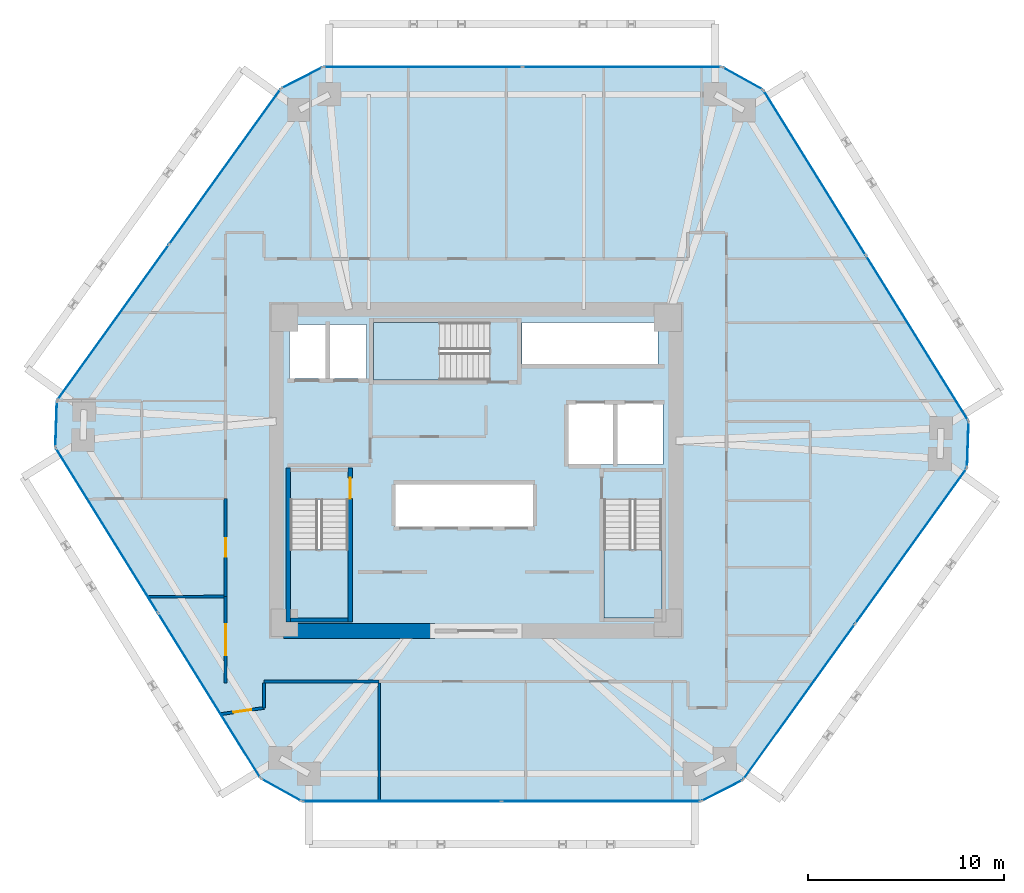
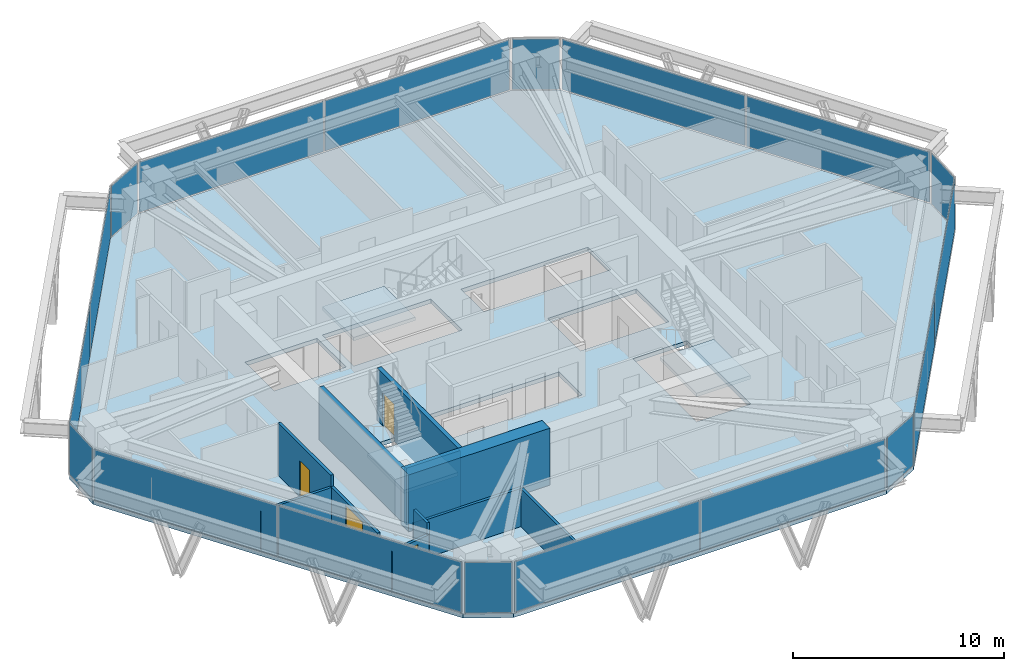
# One storey, part 9 of 14: 18 plates, 11 walls, 4 doors, 4 slabs, 4 openings, 15 elements without a shape of their own.
"""IFC4 building model written with IfcOpenShell, lengths in metres."""

from ifc_helpers import new_model, si_unit, direction, frame, frame_2d, origin, origin_2d, place, context, subcontext, project, spatial, polyline, rectangle, outline, extrude, source, transform, mapped, material, layer, layer_set, type_object, type_shapes, element, fill, aggregate, save


model = new_model("IFC4")

# Units and contexts
model_context = context("Model", 3, precision=1e-05, world=origin(), true_north=direction((0.0, 1.0)))
body_context = subcontext(model_context, "Body", "Model", "MODEL_VIEW")
ifc_project = project(units=[si_unit("LENGTHUNIT", "METRE"), si_unit("AREAUNIT", "SQUARE_METRE"), si_unit("VOLUMEUNIT", "CUBIC_METRE"), si_unit("PLANEANGLEUNIT", "RADIAN"), si_unit("MASSUNIT", "GRAM", prefix="KILO")], contexts=[model_context])

# Site, building, storey
site_placement = place(None, origin())
site = spatial("IfcSite", under=ifc_project, at=site_placement, CompositionType="ELEMENT")
building_placement = place(site_placement, origin())
building = spatial("IfcBuilding", under=site, at=building_placement, Name="Durnholm Broadcast Tower", CompositionType="ELEMENT")
storey_placement = place(building_placement, frame((0.0, 0.0, 127.199951171875)))
storey = spatial("IfcBuildingStorey", under=building, at=storey_placement, Name="L34", CompositionType="ELEMENT", Elevation=127.199951171875)

# Slab
ifc_material_1 = material(Name="Concrete C50/60", Category="concrete")
ifc_layer_1 = layer(ifc_material_1, 0.239990234375)
ifc_layer_set_1 = layer_set([ifc_layer_1], Name="Concrete C50/60")
slab_type_1 = type_object("IfcSlabType", Name="SLAB-FLR-240", PredefinedType="FLOOR", material=ifc_layer_set_1)
slab_1_placement = place(storey_placement, frame((0.0, 0.0, -0.239990234375)))
element("IfcSlab", 1, at=slab_1_placement, inside=storey, type_object=slab_type_1, Name="L34 structural floor slab", PredefinedType="FLOOR", context=body_context, shape_type="SweptSolid", body=[
    extrude(outline(polyline([(-11.012451171875, -15.77001953125), (-8.915283203125, -16.93701171875), (11.51416015625, -16.93701171875), (13.649658203125, -15.841796875), (25.11279296875, 0.114990234375), (25.1943359375, 2.513671875), (14.6904296875, 19.447998046875), (12.59326171875, 20.614990234375), (-7.836181640625, 20.614990234375), (-9.9716796875, 19.519775390625), (-21.434814453125, 3.56298828125), (-21.516357421875, 1.164306640625), (-11.012451171875, -15.77001953125)]), holes=[polyline([(-6.5400390625, -1.5), (-9.5, -1.5), (-9.5, -7.550048828125), (-6.5400390625, -7.550048828125), (-6.5400390625, -1.5)]), polyline([(9.5, -7.550048828125), (9.5, -1.5), (6.5400390625, -1.5), (6.5400390625, -7.550048828125), (9.5, -7.550048828125)]), polyline([(2.949951171875, -0.699951171875), (-4.14990234375, -0.699951171875), (-4.14990234375, -2.89990234375), (2.949951171875, -2.89990234375), (2.949951171875, -0.699951171875)]), polyline([(9.550048828125, 3.39990234375), (4.699951171875, 3.39990234375), (4.699951171875, 0.300048828125), (9.550048828125, 0.300048828125), (9.550048828125, 3.39990234375)]), polyline([(-5.60009765625, 7.449951171875), (-9.550048828125, 7.449951171875), (-9.550048828125, 4.699951171875), (-5.60009765625, 4.699951171875), (-5.60009765625, 7.449951171875)]), polyline([(-5.25, 4.60009765625), (0.699951171875, 4.60009765625), (0.699951171875, 7.56005859375), (-5.25, 7.56005859375), (-5.25, 4.60009765625)]), polyline([(9.31005859375, 7.550048828125), (2.35009765625, 7.550048828125), (2.35009765625, 5.39990234375), (9.31005859375, 5.39990234375), (9.31005859375, 7.550048828125)])]), origin(), (0.0, 0.0, 1.0), 0.239990234375),
])

# Stair, slab
stair_type = type_object("IfcStairType", Name="STAIR-DL-20R1650", PredefinedType="HALF_TURN_STAIR", material=ifc_material_1)
stair_1_placement = place(storey_placement, origin())
stair_1 = element("IfcStair", 2, at=stair_1_placement, inside=storey, type_object=stair_type, Name="L34 ST-1", PredefinedType="HALF_TURN_STAIR")
ifc_layer_2 = layer(ifc_material_1, 0.199951171875)
ifc_layer_set_2 = layer_set([ifc_layer_2], Name="Concrete C50/60")
slab_type_2 = type_object("IfcSlabType", Name="SLAB-LND-200", PredefinedType="LANDING", material=ifc_layer_set_2)
slab_2_placement = place(storey_placement, frame((0.0, 0.0, 1.449951171875)))
slab_2 = element("IfcSlab", 3, at=slab_2_placement, type_object=slab_type_2, Name="ST-1 landing 1", PredefinedType="LANDING", context=body_context, shape_type="SweptSolid", body=[
    extrude(outline(polyline([(-9.5, -4.06494140625), (-9.5, -7.550048828125), (-6.5400390625, -7.550048828125), (-6.5400390625, -4.06494140625), (-9.5, -4.06494140625)])), origin(), (0.0, 0.0, 1.0), 0.2001953125),
])
aggregate(stair_1, [slab_2])

stair_2_placement = place(storey_placement, origin())
stair_2 = element("IfcStair", 4, at=stair_2_placement, inside=storey, type_object=stair_type, Name="L34 ST-2", PredefinedType="HALF_TURN_STAIR")
slab_3_placement = place(storey_placement, frame((0.0, 0.0, 1.449951171875)))
slab_3 = element("IfcSlab", 5, at=slab_3_placement, type_object=slab_type_2, Name="ST-2 landing 1", PredefinedType="LANDING", context=body_context, shape_type="SweptSolid", body=[
    extrude(outline(polyline([(6.5400390625, -4.06494140625), (6.5400390625, -7.550048828125), (9.5, -7.550048828125), (9.5, -4.06494140625), (6.5400390625, -4.06494140625)])), origin(), (0.0, 0.0, 1.0), 0.2001953125),
])
aggregate(stair_2, [slab_3])

stair_3_placement = place(storey_placement, origin())
stair_3 = element("IfcStair", 6, at=stair_3_placement, inside=storey, type_object=stair_type, Name="L34 ST-3", PredefinedType="HALF_TURN_STAIR")
slab_4_placement = place(storey_placement, frame((0.0, 0.0, 1.449951171875)))
slab_4 = element("IfcSlab", 7, at=slab_4_placement, type_object=slab_type_2, Name="ST-3 landing 1", PredefinedType="LANDING", context=body_context, shape_type="SweptSolid", body=[
    extrude(outline(polyline([(-1.864990234375, 7.56005859375), (-5.25, 7.56005859375), (-5.25, 4.60009765625), (-1.864990234375, 4.60009765625), (-1.864990234375, 7.56005859375)])), origin(), (0.0, 0.0, 1.0), 0.2001953125),
])
aggregate(stair_3, [slab_4])

# Curtain wall, plate
ifc_material_2 = material(Name="Aluminium and Solar Control IGU", Category="aluminium")
ifc_layer_3 = layer(ifc_material_2, 0.1650390625)
ifc_layer_set_3 = layer_set([ifc_layer_3], Name="Aluminium and Solar Control IGU")
curtain_wall_type_1 = type_object("IfcCurtainWallType", Name="CW-SYS-5", PredefinedType="NOTDEFINED", material=ifc_layer_set_3)
curtain_wall_1_placement = place(storey_placement, origin())
curtain_wall_1 = element("IfcCurtainWall", 8, at=curtain_wall_1_placement, inside=storey, type_object=curtain_wall_type_1, Name="L34 curtain wall CW-CORNER CW-L34-CRN-01", PredefinedType="NOTDEFINED")
ifc_material_3 = material(Name="Low-E Laminated Insulating Glass", Category="glass")
ifc_layer_4 = layer(ifc_material_3, 0.030029296875)
ifc_layer_set_4 = layer_set([ifc_layer_4], Name="Low-E Laminated Insulating Glass")
plate_type_1 = type_object("IfcPlateType", Name="CW-SYS-5-PNL", PredefinedType="CURTAIN_PANEL", material=ifc_layer_set_4)
shared_shape_1 = source(origin(), body_context, "Body", "SweptSolid", [
    extrude(rectangle(XDim=2.27001953125, YDim=0.030029296875, at=origin_2d()), origin(), (0.0, 0.0, 1.0), 2.929931640625),
])
type_shapes(plate_type_1, [shared_shape_1])
plate_1_placement = place(storey_placement, frame((-21.4755859375, 2.36376953125, 0.06494140625), z_axis=(0.0, 0.0, 1.0), x_axis=(0.033916937775, 0.999424655155, 0.0)))
plate_1 = element("IfcPlate", 9, at=plate_1_placement, type_object=plate_type_1, Name="CW-CORNER panel 1.1", PredefinedType="CURTAIN_PANEL", context=body_context, shape_type="MappedRepresentation", body=[
    mapped(shared_shape_1, transform((0.0, 0.0, 0.0), x_axis=(1.0, 0.0, 0.0), y_axis=(0.0, 1.0, 0.0), z_axis=(0.0, 0.0, 1.0), scale=1.0)),
])
aggregate(curtain_wall_1, [plate_1])

curtain_wall_2_placement = place(storey_placement, origin())
curtain_wall_2 = element("IfcCurtainWall", 10, at=curtain_wall_2_placement, inside=storey, type_object=curtain_wall_type_1, Name="L34 curtain wall CW-CORNER CW-L34-CRN-03", PredefinedType="NOTDEFINED")
plate_2_placement = place(storey_placement, frame((-8.904052734375, 20.0673828125, 0.06494140625), z_axis=(0.0, 0.0, 1.0), x_axis=(0.889788396392, 0.45637332267, 0.0)))
plate_2 = element("IfcPlate", 11, at=plate_2_placement, type_object=plate_type_1, Name="CW-CORNER panel 1.1", PredefinedType="CURTAIN_PANEL", context=body_context, shape_type="MappedRepresentation", body=[
    mapped(shared_shape_1, transform((0.0, 0.0, 0.0), x_axis=(1.0, 0.0, 0.0), y_axis=(0.0, 1.0, 0.0), z_axis=(0.0, 0.0, 1.0), scale=1.0)),
])
aggregate(curtain_wall_2, [plate_2])

curtain_wall_3_placement = place(storey_placement, origin())
curtain_wall_3 = element("IfcCurtainWall", 12, at=curtain_wall_3_placement, inside=storey, type_object=curtain_wall_type_1, Name="L34 curtain wall CW-CORNER CW-L34-CRN-05", PredefinedType="NOTDEFINED")
plate_3_placement = place(storey_placement, frame((13.641845703125, 20.031494140625, 0.06494140625), z_axis=(0.0, 0.0, 1.0), x_axis=(0.873822953715, -0.486244224192, 0.0)))
plate_3 = element("IfcPlate", 13, at=plate_3_placement, type_object=plate_type_1, Name="CW-CORNER panel 1.1", PredefinedType="CURTAIN_PANEL", context=body_context, shape_type="MappedRepresentation", body=[
    mapped(shared_shape_1, transform((0.0, 0.0, 0.0), x_axis=(1.0, 0.0, 0.0), y_axis=(0.0, 1.0, 0.0), z_axis=(0.0, 0.0, 1.0), scale=1.0)),
])
aggregate(curtain_wall_3, [plate_3])

curtain_wall_4_placement = place(storey_placement, origin())
curtain_wall_4 = element("IfcCurtainWall", 14, at=curtain_wall_4_placement, inside=storey, type_object=curtain_wall_type_1, Name="L34 curtain wall CW-CORNER CW-L34-CRN-07", PredefinedType="NOTDEFINED")
plate_4_placement = place(storey_placement, frame((25.153564453125, 1.314208984375, 0.06494140625), z_axis=(0.0, 0.0, 1.0), x_axis=(-0.033916937775, -0.999424655155, 0.0)))
plate_4 = element("IfcPlate", 15, at=plate_4_placement, type_object=plate_type_1, Name="CW-CORNER panel 1.1", PredefinedType="CURTAIN_PANEL", context=body_context, shape_type="MappedRepresentation", body=[
    mapped(shared_shape_1, transform((0.0, 0.0, 0.0), x_axis=(1.0, 0.0, 0.0), y_axis=(0.0, 1.0, 0.0), z_axis=(0.0, 0.0, 1.0), scale=1.0)),
])
aggregate(curtain_wall_4, [plate_4])

curtain_wall_5_placement = place(storey_placement, origin())
curtain_wall_5 = element("IfcCurtainWall", 16, at=curtain_wall_5_placement, inside=storey, type_object=curtain_wall_type_1, Name="L34 curtain wall CW-CORNER CW-L34-CRN-09", PredefinedType="NOTDEFINED")
plate_5_placement = place(storey_placement, frame((12.58203125, -16.389404296875, 0.06494140625), z_axis=(0.0, 0.0, 1.0), x_axis=(-0.889788396392, -0.45637332267, 0.0)))
plate_5 = element("IfcPlate", 17, at=plate_5_placement, type_object=plate_type_1, Name="CW-CORNER panel 1.1", PredefinedType="CURTAIN_PANEL", context=body_context, shape_type="MappedRepresentation", body=[
    mapped(shared_shape_1, transform((0.0, 0.0, 0.0), x_axis=(1.0, 0.0, 0.0), y_axis=(0.0, 1.0, 0.0), z_axis=(0.0, 0.0, 1.0), scale=1.0)),
])
aggregate(curtain_wall_5, [plate_5])

curtain_wall_6_placement = place(storey_placement, origin())
curtain_wall_6 = element("IfcCurtainWall", 18, at=curtain_wall_6_placement, inside=storey, type_object=curtain_wall_type_1, Name="L34 curtain wall CW-CORNER CW-L34-CRN-11", PredefinedType="NOTDEFINED")
plate_6_placement = place(storey_placement, frame((-9.9638671875, -16.353515625, 0.06494140625), z_axis=(0.0, 0.0, 1.0), x_axis=(-0.873822953715, 0.486244224192, 0.0)))
plate_6 = element("IfcPlate", 19, at=plate_6_placement, type_object=plate_type_1, Name="CW-CORNER panel 1.1", PredefinedType="CURTAIN_PANEL", context=body_context, shape_type="MappedRepresentation", body=[
    mapped(shared_shape_1, transform((0.0, 0.0, 0.0), x_axis=(1.0, 0.0, 0.0), y_axis=(0.0, 1.0, 0.0), z_axis=(0.0, 0.0, 1.0), scale=1.0)),
])
aggregate(curtain_wall_6, [plate_6])

# Curtain wall, plates
ifc_layer_5 = layer(ifc_material_2, 0.18994140625)
ifc_layer_set_5 = layer_set([ifc_layer_5], Name="Aluminium and Solar Control IGU")
curtain_wall_type_2 = type_object("IfcCurtainWallType", Name="CW-SYS-3", PredefinedType="NOTDEFINED", material=ifc_layer_set_5)
curtain_wall_7_placement = place(storey_placement, origin())
curtain_wall_7 = element("IfcCurtainWall", 20, at=curtain_wall_7_placement, inside=storey, type_object=curtain_wall_type_2, Name="L34 curtain wall CW-Z12-VIS CW-L34-F02", PredefinedType="NOTDEFINED")
ifc_layer_6 = layer(ifc_material_3, 0.031982421875)
ifc_layer_set_6 = layer_set([ifc_layer_6], Name="Low-E Laminated Insulating Glass")
plate_type_2 = type_object("IfcPlateType", Name="CW-SYS-3-PNL", PredefinedType="CURTAIN_PANEL", material=ifc_layer_set_6)
shared_shape_2 = source(origin(), body_context, "Body", "SweptSolid", [
    extrude(rectangle(XDim=9.71875, YDim=0.031982421875, at=origin_2d()), origin(), (0.0, 0.0, 1.0), 2.919921875),
])
plate_7_placement = place(storey_placement, frame((-18.558837890625, 7.56640625, 0.070068359375), z_axis=(0.0, 0.0, 1.0), x_axis=(0.583445473786, 0.812152312759, 0.0)))
plate_7 = element("IfcPlate", 21, at=plate_7_placement, type_object=plate_type_2, Name="CW-Z12-VIS panel 1.1", PredefinedType="CURTAIN_PANEL", context=body_context, shape_type="MappedRepresentation", body=[
    mapped(shared_shape_2, transform((0.0, 0.0, 0.0), x_axis=(1.0, 0.0, 0.0), y_axis=(0.0, 1.0, 0.0), z_axis=(0.0, 0.0, 1.0), scale=1.0)),
])
plate_8_placement = place(storey_placement, frame((-12.84765625, 15.516357421875, 0.070068359375), z_axis=(0.0, 0.0, 1.0), x_axis=(0.583445473786, 0.812152312759, 0.0)))
plate_8 = element("IfcPlate", 22, at=plate_8_placement, type_object=plate_type_2, Name="CW-Z12-VIS panel 2.1", PredefinedType="CURTAIN_PANEL", context=body_context, shape_type="MappedRepresentation", body=[
    mapped(shared_shape_2, transform((0.0, 0.0, 0.0), x_axis=(1.0, 0.0, 0.0), y_axis=(0.0, 1.0, 0.0), z_axis=(0.0, 0.0, 1.0), scale=1.0)),
])
aggregate(curtain_wall_7, [plate_7, plate_8])

curtain_wall_8_placement = place(storey_placement, origin())
curtain_wall_8 = element("IfcCurtainWall", 23, at=curtain_wall_8_placement, inside=storey, type_object=curtain_wall_type_2, Name="L34 curtain wall CW-Z12-VIS CW-L34-F08", PredefinedType="NOTDEFINED")
plate_9_placement = place(storey_placement, frame((22.23681640625, -3.888427734375, 0.070068359375), z_axis=(0.0, 0.0, 1.0), x_axis=(-0.583445473786, -0.812152312759, 0.0)))
plate_9 = element("IfcPlate", 24, at=plate_9_placement, type_object=plate_type_2, Name="CW-Z12-VIS panel 1.1", PredefinedType="CURTAIN_PANEL", context=body_context, shape_type="MappedRepresentation", body=[
    mapped(shared_shape_2, transform((0.0, 0.0, 0.0), x_axis=(1.0, 0.0, 0.0), y_axis=(0.0, 1.0, 0.0), z_axis=(0.0, 0.0, 1.0), scale=1.0)),
])
plate_10_placement = place(storey_placement, frame((16.525634765625, -11.83837890625, 0.070068359375), z_axis=(0.0, 0.0, 1.0), x_axis=(-0.583445473786, -0.812152312759, 0.0)))
plate_10 = element("IfcPlate", 25, at=plate_10_placement, type_object=plate_type_2, Name="CW-Z12-VIS panel 2.1", PredefinedType="CURTAIN_PANEL", context=body_context, shape_type="MappedRepresentation", body=[
    mapped(shared_shape_2, transform((0.0, 0.0, 0.0), x_axis=(1.0, 0.0, 0.0), y_axis=(0.0, 1.0, 0.0), z_axis=(0.0, 0.0, 1.0), scale=1.0)),
])
aggregate(curtain_wall_8, [plate_9, plate_10])

curtain_wall_9_placement = place(storey_placement, origin())
curtain_wall_9 = element("IfcCurtainWall", 26, at=curtain_wall_9_placement, inside=storey, type_object=curtain_wall_type_2, Name="L34 curtain wall CW-Z12-VIS CW-L34-F04", PredefinedType="NOTDEFINED")
shared_shape_3 = source(origin(), body_context, "Body", "SweptSolid", [
    extrude(rectangle(XDim=10.109619140625, YDim=0.031982421875, at=origin_2d()), origin(), (0.0, 0.0, 1.0), 2.919921875),
])
plate_11_placement = place(storey_placement, frame((-2.71142578125, 20.614990234375, 0.070068359375), z_axis=(0.0, 0.0, 1.0), x_axis=(1.0, 0.0, 0.0)))
plate_11 = element("IfcPlate", 27, at=plate_11_placement, type_object=plate_type_2, Name="CW-Z12-VIS panel 1.1", PredefinedType="CURTAIN_PANEL", context=body_context, shape_type="MappedRepresentation", body=[
    mapped(shared_shape_3, transform((0.0, 0.0, 0.0), x_axis=(1.0, 0.0, 0.0), y_axis=(0.0, 1.0, 0.0), z_axis=(0.0, 0.0, 1.0), scale=1.0)),
])
plate_12_placement = place(storey_placement, frame((7.46826171875, 20.614990234375, 0.070068359375), z_axis=(0.0, 0.0, 1.0), x_axis=(1.0, 0.0, 0.0)))
plate_12 = element("IfcPlate", 28, at=plate_12_placement, type_object=plate_type_2, Name="CW-Z12-VIS panel 2.1", PredefinedType="CURTAIN_PANEL", context=body_context, shape_type="MappedRepresentation", body=[
    mapped(shared_shape_3, transform((0.0, 0.0, 0.0), x_axis=(1.0, 0.0, 0.0), y_axis=(0.0, 1.0, 0.0), z_axis=(0.0, 0.0, 1.0), scale=1.0)),
])
aggregate(curtain_wall_9, [plate_11, plate_12])

curtain_wall_10_placement = place(storey_placement, origin())
curtain_wall_10 = element("IfcCurtainWall", 29, at=curtain_wall_10_placement, inside=storey, type_object=curtain_wall_type_2, Name="L34 curtain wall CW-Z12-VIS CW-L34-F10", PredefinedType="NOTDEFINED")
plate_13_placement = place(storey_placement, frame((6.389404296875, -16.93701171875, 0.070068359375), z_axis=(0.0, 0.0, 1.0), x_axis=(-1.0, 0.0, 0.0)))
plate_13 = element("IfcPlate", 30, at=plate_13_placement, type_object=plate_type_2, Name="CW-Z12-VIS panel 1.1", PredefinedType="CURTAIN_PANEL", context=body_context, shape_type="MappedRepresentation", body=[
    mapped(shared_shape_3, transform((0.0, 0.0, 0.0), x_axis=(1.0, 0.0, 0.0), y_axis=(0.0, 1.0, 0.0), z_axis=(0.0, 0.0, 1.0), scale=1.0)),
])
plate_14_placement = place(storey_placement, frame((-3.790283203125, -16.93701171875, 0.070068359375), z_axis=(0.0, 0.0, 1.0), x_axis=(-1.0, 0.0, 0.0)))
plate_14 = element("IfcPlate", 31, at=plate_14_placement, type_object=plate_type_2, Name="CW-Z12-VIS panel 2.1", PredefinedType="CURTAIN_PANEL", context=body_context, shape_type="MappedRepresentation", body=[
    mapped(shared_shape_3, transform((0.0, 0.0, 0.0), x_axis=(1.0, 0.0, 0.0), y_axis=(0.0, 1.0, 0.0), z_axis=(0.0, 0.0, 1.0), scale=1.0)),
])
aggregate(curtain_wall_10, [plate_13, plate_14])

curtain_wall_11_placement = place(storey_placement, origin())
curtain_wall_11 = element("IfcCurtainWall", 32, at=curtain_wall_11_placement, inside=storey, type_object=curtain_wall_type_2, Name="L34 curtain wall CW-Z12-VIS CW-L34-F06", PredefinedType="NOTDEFINED")
shared_shape_4 = source(origin(), body_context, "Body", "SweptSolid", [
    extrude(rectangle(XDim=9.858642578125, YDim=0.031982421875, at=origin_2d()), origin(), (0.0, 0.0, 1.0), 2.919921875),
])
type_shapes(plate_type_2, [shared_shape_2, shared_shape_3, shared_shape_4])
plate_15_placement = place(storey_placement, frame((17.32568359375, 15.199462890625, 0.070068359375), z_axis=(0.0, 0.0, 1.0), x_axis=(0.527105385176, -0.849799925229, 0.0)))
plate_15 = element("IfcPlate", 33, at=plate_15_placement, type_object=plate_type_2, Name="CW-Z12-VIS panel 1.1", PredefinedType="CURTAIN_PANEL", context=body_context, shape_type="MappedRepresentation", body=[
    mapped(shared_shape_4, transform((0.0, 0.0, 0.0), x_axis=(1.0, 0.0, 0.0), y_axis=(0.0, 1.0, 0.0), z_axis=(0.0, 0.0, 1.0), scale=1.0)),
])
plate_16_placement = place(storey_placement, frame((22.55908203125, 6.761962890625, 0.070068359375), z_axis=(0.0, 0.0, 1.0), x_axis=(0.527105385176, -0.849799925229, 0.0)))
plate_16 = element("IfcPlate", 34, at=plate_16_placement, type_object=plate_type_2, Name="CW-Z12-VIS panel 2.1", PredefinedType="CURTAIN_PANEL", context=body_context, shape_type="MappedRepresentation", body=[
    mapped(shared_shape_4, transform((0.0, 0.0, 0.0), x_axis=(1.0, 0.0, 0.0), y_axis=(0.0, 1.0, 0.0), z_axis=(0.0, 0.0, 1.0), scale=1.0)),
])
aggregate(curtain_wall_11, [plate_15, plate_16])

curtain_wall_12_placement = place(storey_placement, origin())
curtain_wall_12 = element("IfcCurtainWall", 35, at=curtain_wall_12_placement, inside=storey, type_object=curtain_wall_type_2, Name="L34 curtain wall CW-Z12-VIS CW-L34-F12", PredefinedType="NOTDEFINED")
plate_17_placement = place(storey_placement, frame((-13.647705078125, -11.521484375, 0.070068359375), z_axis=(0.0, 0.0, 1.0), x_axis=(-0.527105385176, 0.849799925229, 0.0)))
plate_17 = element("IfcPlate", 36, at=plate_17_placement, type_object=plate_type_2, Name="CW-Z12-VIS panel 1.1", PredefinedType="CURTAIN_PANEL", context=body_context, shape_type="MappedRepresentation", body=[
    mapped(shared_shape_4, transform((0.0, 0.0, 0.0), x_axis=(1.0, 0.0, 0.0), y_axis=(0.0, 1.0, 0.0), z_axis=(0.0, 0.0, 1.0), scale=1.0)),
])
plate_18_placement = place(storey_placement, frame((-18.881103515625, -3.083984375, 0.070068359375), z_axis=(0.0, 0.0, 1.0), x_axis=(-0.527105385176, 0.849799925229, 0.0)))
plate_18 = element("IfcPlate", 37, at=plate_18_placement, type_object=plate_type_2, Name="CW-Z12-VIS panel 2.1", PredefinedType="CURTAIN_PANEL", context=body_context, shape_type="MappedRepresentation", body=[
    mapped(shared_shape_4, transform((0.0, 0.0, 0.0), x_axis=(1.0, 0.0, 0.0), y_axis=(0.0, 1.0, 0.0), z_axis=(0.0, 0.0, 1.0), scale=1.0)),
])
aggregate(curtain_wall_12, [plate_17, plate_18])

# Walls
ifc_material_4 = material(Name="Concrete C70/85", Category="concrete")
ifc_layer_7 = layer(ifc_material_4, 0.75)
ifc_layer_set_7 = layer_set([ifc_layer_7], Name="Concrete C70/85")
wall_type_1 = type_object("IfcWallType", Name="WALL-CW-750", PredefinedType="SHEAR", material=ifc_layer_set_7)
wall_1_placement = place(storey_placement, frame((-9.85009765625, -8.22509765625, 0.0), z_axis=(0.0, 0.0, 1.0), x_axis=(1.0, 0.0, 0.0)))
element("IfcWall", 38, at=wall_1_placement, inside=storey, type_object=wall_type_1, Name="L34 central core shear wall CW-S1", PredefinedType="SHEAR", context=body_context, shape_type="SweptSolid", body=[
    extrude(rectangle(XDim=7.75, YDim=0.75, at=frame_2d((3.875, 0.0))), origin(), (0.0, 0.0, 1.0), 3.300048828125),
])
ifc_material_5 = material(Name="Gypsum Metal Stud Partition", Category="concrete")
ifc_layer_8 = layer(ifc_material_5, 0.135009765625)
ifc_layer_set_8 = layer_set([ifc_layer_8], Name="Gypsum Metal Stud Partition")
wall_type_2 = type_object("IfcWallType", Name="WALL-PART-135", PredefinedType="PARTITIONING", material=ifc_layer_set_8)
wall_2_placement = place(storey_placement, frame((-4.9599609375, -10.888916015625, 0.0), z_axis=(0.0, 0.0, 1.0), x_axis=(0.0, -1.0, 0.0)))
element("IfcWall", 39, at=wall_2_placement, inside=storey, type_object=wall_type_2, Name="L34 room dividing partition 13.14", PredefinedType="PARTITIONING", context=body_context, shape_type="SweptSolid", body=[
    extrude(rectangle(XDim=6.048095703125, YDim=0.135009765625, at=frame_2d((3.02392578125, 0.0))), origin(), (0.0, 0.0, 1.0), 2.212158203125),
])
wall_3_placement = place(storey_placement, frame((-16.774169921875, -6.481201171875, 0.0), z_axis=(0.0, 0.0, 1.0), x_axis=(0.999985736048, 0.005341132812, 0.0)))
element("IfcWall", 40, at=wall_3_placement, inside=storey, type_object=wall_type_2, Name="L34 room dividing partition 17.18", PredefinedType="PARTITIONING", context=body_context, shape_type="SweptSolid", body=[
    extrude(rectangle(XDim=3.88525390625, YDim=0.135009765625, at=frame_2d((1.942626953125, 0.0))), origin(), (0.0, 0.0, 1.0), 2.380126953125),
])
ifc_material_6 = material(Name="Acoustic Gypsum Stud Partition", Category="concrete")
ifc_layer_9 = layer(ifc_material_6, 0.14990234375)
ifc_layer_set_9 = layer_set([ifc_layer_9], Name="Acoustic Gypsum Stud Partition")
wall_type_3 = type_object("IfcWallType", Name="WALL-PART-150", PredefinedType="PARTITIONING", material=ifc_layer_set_9)
wall_4_placement = place(storey_placement, frame((-10.840087890625, -10.81005859375, 0.0), z_axis=(0.0, 0.0, 1.0), x_axis=(1.0, 0.0, 0.0)))
element("IfcWall", 41, at=wall_4_placement, inside=storey, type_object=wall_type_3, Name="L34 Broadcast Kitchen corridor partition", PredefinedType="PARTITIONING", context=body_context, shape_type="SweptSolid", body=[
    extrude(rectangle(XDim=5.880126953125, YDim=0.14990234375, at=frame_2d((2.93994140625, 0.0))), origin(), (0.0, 0.0, 1.0), 2.212158203125),
])

# Wall, opening, door
wall_5_placement = place(storey_placement, frame((-13.053955078125, -12.478759765625, 0.0), z_axis=(0.0, 0.0, 1.0), x_axis=(0.989787303338, 0.142552075227, 0.0)))
wall_5 = element("IfcWall", 42, at=wall_5_placement, inside=storey, type_object=wall_type_3, Name="L34 Broadcast Kitchen corridor partition", PredefinedType="PARTITIONING", context=body_context, shape_type="SweptSolid", body=[
    extrude(rectangle(XDim=2.23681640625, YDim=0.14990234375, at=frame_2d((1.118408203125, 0.0))), origin(), (0.0, 0.0, 1.0), 2.380126953125),
])
opening_1_placement = place(wall_5_placement, frame((0.658447265625, 0.0, 0.0)))
opening_1 = element("IfcOpeningElement", 43, at=opening_1_placement, cuts=wall_5, Name="Opening DR-92R", PredefinedType="OPENING", context=body_context, shape_type="SweptSolid", body=[
    extrude(rectangle(XDim=0.919921875, YDim=2.10009765625, at=frame_2d((0.4599609375, 1.050048828125))), frame((0.0, 0.0849609375, 0.0), z_axis=(0.0, -1.0, 0.0), x_axis=(1.0, 0.0, 0.0)), (0.0, 0.0, 1.0), 0.169921875),
])
ifc_material_7 = material(Name="Oak Veneer Office Door", Category="wood")
ifc_layer_10 = layer(ifc_material_7, 0.050048828125)
ifc_layer_set_10 = layer_set([ifc_layer_10], Name="Oak Veneer Office Door")
door_type_1 = type_object("IfcDoorType", Name="DOOR-RM-920R", OperationType="NOTDEFINED", PredefinedType="DOOR", material=ifc_layer_set_10)
shared_shape_5 = source(origin(), body_context, "Body", "SweptSolid", [
    extrude(rectangle(XDim=0.919921875, YDim=2.10009765625, at=frame_2d((0.4599609375, 1.050048828125))), frame((0.0, 0.02490234375, 0.0), z_axis=(0.0, -1.0, 0.0), x_axis=(1.0, 0.0, 0.0)), (0.0, 0.0, 1.0), 0.050048828125),
])
type_shapes(door_type_1, [shared_shape_5])
door_1_placement = place(opening_1_placement, origin())
door_1 = element("IfcDoor", 44, at=door_1_placement, inside=storey, type_object=door_type_1, Name="L34 Broadcast Kitchen entrance door", OperationType="SINGLE_SWING_RIGHT", OverallHeight=2.10009765625, OverallWidth=0.919921875, PredefinedType="DOOR", context=body_context, shape_type="MappedRepresentation", body=[
    mapped(shared_shape_5, transform((0.0, 0.0, 0.0), x_axis=(1.0, 0.0, 0.0), y_axis=(0.0, 1.0, 0.0), z_axis=(0.0, 0.0, 1.0), scale=1.0)),
])
fill(opening_1, door_1)

# Wall
wall_6_placement = place(storey_placement, frame((-10.840087890625, -12.159912109375, 0.0), z_axis=(0.0, 0.0, 1.0), x_axis=(0.0, 1.0, 0.0)))
element("IfcWall", 45, at=wall_6_placement, inside=storey, type_object=wall_type_3, Name="L34 Broadcast Kitchen corridor partition", PredefinedType="PARTITIONING", context=body_context, shape_type="SweptSolid", body=[
    extrude(rectangle(XDim=1.27099609375, YDim=0.14990234375, at=frame_2d((0.635498046875, 0.0))), origin(), (0.0, 0.0, 1.0), 3.045166015625),
])

# Wall, opening, door
wall_7_placement = place(storey_placement, frame((-12.81005859375, -6.4599609375, 0.0), z_axis=(0.0, 0.0, 1.0), x_axis=(0.0, -1.0, 0.0)))
wall_7 = element("IfcWall", 46, at=wall_7_placement, inside=storey, type_object=wall_type_3, Name="L34 Mastering Screening Auditorium corridor partition", PredefinedType="PARTITIONING", context=body_context, shape_type="SweptSolid", body=[
    extrude(rectangle(XDim=4.429931640625, YDim=0.14990234375, at=frame_2d((2.21484375, 0.0))), origin(), (0.0, 0.0, 1.0), 2.380126953125),
])
opening_2_placement = place(wall_7_placement, frame((1.4150390625, 0.0, 0.0)))
opening_2 = element("IfcOpeningElement", 47, at=opening_2_placement, cuts=wall_7, Name="Opening DST-160", PredefinedType="OPENING", context=body_context, shape_type="SweptSolid", body=[
    extrude(rectangle(XDim=1.60009765625, YDim=2.14990234375, at=frame_2d((0.800048828125, 1.074951171875))), frame((0.0, 0.0849609375, 0.0), z_axis=(0.0, -1.0, 0.0), x_axis=(1.0, 0.0, 0.0)), (0.0, 0.0, 1.0), 0.169921875),
])
ifc_material_8 = material(Name="Acoustic Broadcast Studio Sound-Lock Door", Category="steel")
ifc_layer_11 = layer(ifc_material_8, 0.050048828125)
ifc_layer_set_11 = layer_set([ifc_layer_11], Name="Acoustic Broadcast Studio Sound-Lock Door")
door_type_2 = type_object("IfcDoorType", Name="DOOR-STU-1600", OperationType="DOUBLE_DOOR_SINGLE_SWING", PredefinedType="DOOR", material=ifc_layer_set_11)
shared_shape_6 = source(origin(), body_context, "Body", "SweptSolid", [
    extrude(rectangle(XDim=1.60009765625, YDim=2.14990234375, at=frame_2d((0.800048828125, 1.074951171875))), frame((0.0, 0.02490234375, 0.0), z_axis=(0.0, -1.0, 0.0), x_axis=(1.0, 0.0, 0.0)), (0.0, 0.0, 1.0), 0.050048828125),
])
type_shapes(door_type_2, [shared_shape_6])
door_2_placement = place(opening_2_placement, origin())
door_2 = element("IfcDoor", 48, at=door_2_placement, inside=storey, type_object=door_type_2, Name="L34 Mastering Screening Auditorium entrance door", OperationType="DOUBLE_DOOR_SINGLE_SWING", OverallHeight=2.14990234375, OverallWidth=1.60009765625, PredefinedType="DOOR", context=body_context, shape_type="MappedRepresentation", body=[
    mapped(shared_shape_6, transform((0.0, 0.0, 0.0), x_axis=(1.0, 0.0, 0.0), y_axis=(0.0, 1.0, 0.0), z_axis=(0.0, 0.0, 1.0), scale=1.0)),
])
fill(opening_2, door_2)

wall_8_placement = place(storey_placement, frame((-12.81005859375, -1.4599609375, 0.0), z_axis=(0.0, 0.0, 1.0), x_axis=(0.0, -1.0, 0.0)))
wall_8 = element("IfcWall", 49, at=wall_8_placement, inside=storey, type_object=wall_type_3, Name="L34 Podcast Dining Room corridor partition", PredefinedType="PARTITIONING", context=body_context, shape_type="SweptSolid", body=[
    extrude(rectangle(XDim=5.0, YDim=0.14990234375, at=frame_2d((2.5, 0.0))), origin(), (0.0, 0.0, 1.0), 3.045166015625),
])
opening_3_placement = place(wall_8_placement, frame((2.02490234375, 0.0, 0.0)))
opening_3 = element("IfcOpeningElement", 50, at=opening_3_placement, cuts=wall_8, Name="Opening DR-95L", PredefinedType="OPENING", context=body_context, shape_type="SweptSolid", body=[
    extrude(rectangle(XDim=0.949951171875, YDim=2.10009765625, at=frame_2d((0.47509765625, 1.050048828125))), frame((0.0, 0.0849609375, 0.0), z_axis=(0.0, -1.0, 0.0), x_axis=(1.0, 0.0, 0.0)), (0.0, 0.0, 1.0), 0.169921875),
])
ifc_material_9 = material(Name="Acoustic Oak Veneer Timber Door", Category="wood")
ifc_layer_12 = layer(ifc_material_9, 0.050048828125)
ifc_layer_set_12 = layer_set([ifc_layer_12], Name="Acoustic Oak Veneer Timber Door")
door_type_3 = type_object("IfcDoorType", Name="DOOR-RM-950L", OperationType="NOTDEFINED", PredefinedType="DOOR", material=ifc_layer_set_12)
shared_shape_7 = source(origin(), body_context, "Body", "SweptSolid", [
    extrude(rectangle(XDim=0.949951171875, YDim=2.10009765625, at=frame_2d((0.47509765625, 1.050048828125))), frame((0.0, 0.02490234375, 0.0), z_axis=(0.0, -1.0, 0.0), x_axis=(1.0, 0.0, 0.0)), (0.0, 0.0, 1.0), 0.050048828125),
])
type_shapes(door_type_3, [shared_shape_7])
door_3_placement = place(opening_3_placement, origin())
door_3 = element("IfcDoor", 51, at=door_3_placement, inside=storey, type_object=door_type_3, Name="L34 Podcast Dining Room entrance door", OperationType="SINGLE_SWING_LEFT", OverallHeight=2.10009765625, OverallWidth=0.949951171875, PredefinedType="DOOR", context=body_context, shape_type="MappedRepresentation", body=[
    mapped(shared_shape_7, transform((0.0, 0.0, 0.0), x_axis=(1.0, 0.0, 0.0), y_axis=(0.0, 1.0, 0.0), z_axis=(0.0, 0.0, 1.0), scale=1.0)),
])
fill(opening_3, door_3)

ifc_layer_13 = layer(ifc_material_1, 0.219970703125)
ifc_layer_set_13 = layer_set([ifc_layer_13], Name="Concrete C50/60")
wall_type_4 = type_object("IfcWallType", Name="WALL-SW-220", PredefinedType="SHEAR", material=ifc_layer_set_13)
wall_9_placement = place(storey_placement, frame((-6.429931640625, -7.77001953125, -0.239990234375), z_axis=(0.0, 0.0, 1.0), x_axis=(0.0, 1.0, 0.0)))
wall_9 = element("IfcWall", 52, at=wall_9_placement, inside=storey, type_object=wall_type_4, Name="L34 stair ST-1 structural shaft wall E", PredefinedType="SHEAR", context=body_context, shape_type="SweptSolid", body=[
    extrude(rectangle(XDim=7.89013671875, YDim=0.219970703125, at=frame_2d((3.945068359375, 0.0))), origin(), (0.0, 0.0, 1.0), 3.300048828125),
])
opening_4_placement = place(wall_9_placement, frame((6.320068359375, 0.0, 0.0)))
opening_4 = element("IfcOpeningElement", 53, at=opening_4_placement, cuts=wall_9, Name="Opening DS-90L", PredefinedType="OPENING", context=body_context, shape_type="SweptSolid", body=[
    extrude(rectangle(XDim=1.050048828125, YDim=2.14990234375, at=frame_2d((0.52490234375, 1.074951171875))), frame((0.0, 0.1201171875, 0.0), z_axis=(0.0, -1.0, 0.0), x_axis=(1.0, 0.0, 0.0)), (0.0, 0.0, 1.0), 0.239990234375),
])
ifc_material_10 = material(Name="Fire-Rated Steel Door", Category="steel")
ifc_layer_14 = layer(ifc_material_10, 0.050048828125)
ifc_layer_set_14 = layer_set([ifc_layer_14], Name="Fire-Rated Steel Door")
door_type_4 = type_object("IfcDoorType", Name="DOOR-ST-FD90-L", OperationType="NOTDEFINED", PredefinedType="DOOR", material=ifc_layer_set_14)
shared_shape_8 = source(origin(), body_context, "Body", "SweptSolid", [
    extrude(rectangle(XDim=1.050048828125, YDim=2.14990234375, at=frame_2d((0.52490234375, 1.074951171875))), frame((0.0, 0.02490234375, 0.0), z_axis=(0.0, -1.0, 0.0), x_axis=(1.0, 0.0, 0.0)), (0.0, 0.0, 1.0), 0.050048828125),
])
type_shapes(door_type_4, [shared_shape_8])
door_4_placement = place(opening_4_placement, origin())
door_4 = element("IfcDoor", 54, at=door_4_placement, inside=storey, type_object=door_type_4, Name="L34 exit stair ST-1 fire door", OperationType="SINGLE_SWING_LEFT", OverallHeight=2.14990234375, OverallWidth=1.050048828125, PredefinedType="DOOR", context=body_context, shape_type="MappedRepresentation", body=[
    mapped(shared_shape_8, transform((0.0, 0.0, 0.0), x_axis=(1.0, 0.0, 0.0), y_axis=(0.0, 1.0, 0.0), z_axis=(0.0, 0.0, 1.0), scale=1.0)),
])
fill(opening_4, door_4)

# Walls
wall_10_placement = place(storey_placement, frame((-9.610107421875, 0.1201171875, -0.239990234375), z_axis=(0.0, 0.0, 1.0), x_axis=(0.0, -1.0, 0.0)))
element("IfcWall", 55, at=wall_10_placement, inside=storey, type_object=wall_type_4, Name="L34 stair ST-1 structural shaft wall W", PredefinedType="SHEAR", context=body_context, shape_type="SweptSolid", body=[
    extrude(rectangle(XDim=7.89013671875, YDim=0.219970703125, at=frame_2d((3.945068359375, 0.0))), origin(), (0.0, 0.0, 1.0), 3.300048828125),
])
wall_11_placement = place(storey_placement, frame((-9.5, -7.659912109375, -0.239990234375), z_axis=(0.0, 0.0, 1.0), x_axis=(1.0, 0.0, 0.0)))
element("IfcWall", 56, at=wall_11_placement, inside=storey, type_object=wall_type_4, Name="L34 stair ST-1 structural shaft wall S", PredefinedType="SHEAR", context=body_context, shape_type="SweptSolid", body=[
    extrude(rectangle(XDim=2.9599609375, YDim=0.219970703125, at=frame_2d((1.47998046875, 0.0))), origin(), (0.0, 0.0, 1.0), 3.300048828125),
])

save(model, "model.ifc")
